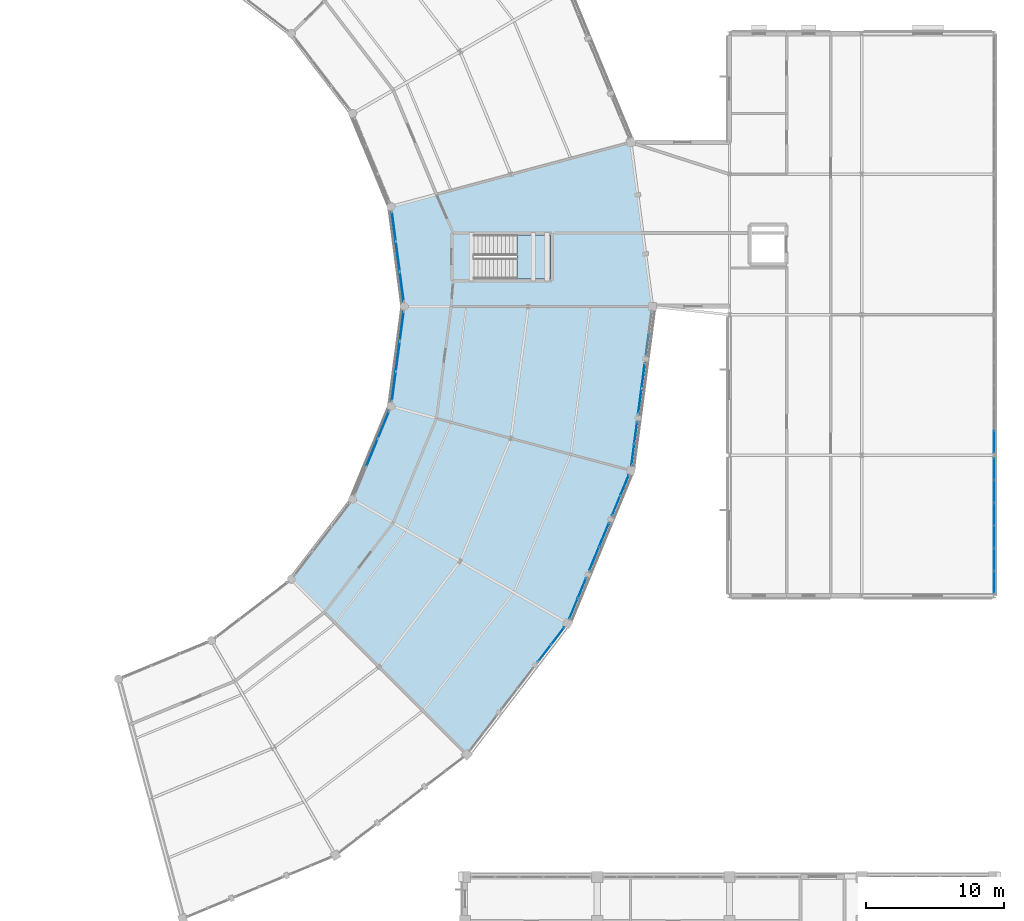
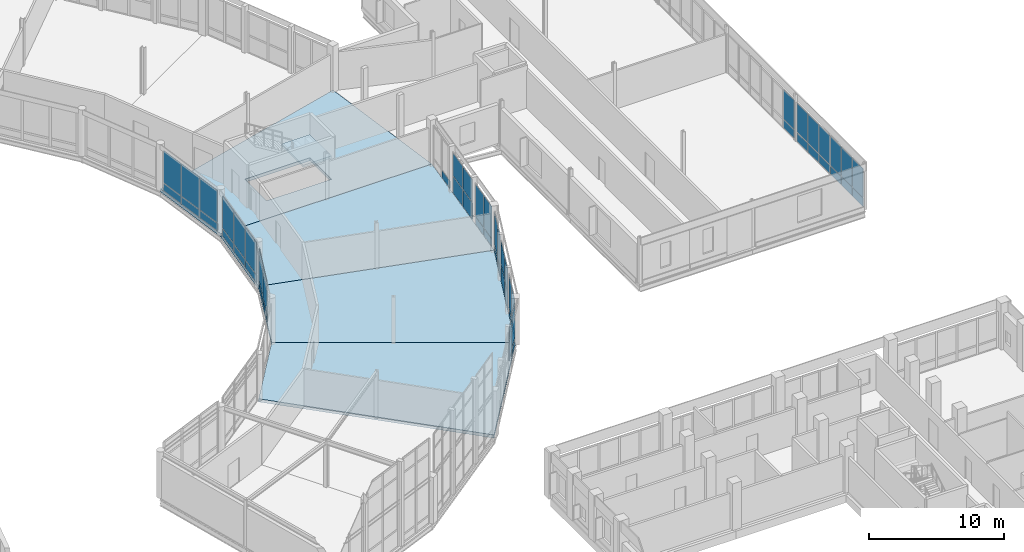
# One storey, part 133 of 170: 54 plates, 5 slabs, 13 elements without a shape of their own.
"""IFC4 building model written with IfcOpenShell, lengths in metres."""

from ifc_helpers import new_model, si_unit, direction, frame, origin, origin_2d, place, context, subcontext, project, spatial, polyline, rectangle, outline, extrude, material, layer, layer_set, type_object, element, aggregate, save


model = new_model("IFC4")

# Units and contexts
model_context = context("Model", 3, precision=1e-05, world=origin(), true_north=direction((0.0, 1.0)))
body_context = subcontext(model_context, "Body", "Model", "MODEL_VIEW")
ifc_project = project(units=[si_unit("LENGTHUNIT", "METRE"), si_unit("AREAUNIT", "SQUARE_METRE"), si_unit("VOLUMEUNIT", "CUBIC_METRE"), si_unit("PLANEANGLEUNIT", "RADIAN"), si_unit("MASSUNIT", "GRAM", prefix="KILO")], contexts=[model_context])

# Site, building, storey
site_placement = place(None, origin())
site = spatial("IfcSite", under=ifc_project, at=site_placement, CompositionType="ELEMENT")
building_placement = place(site_placement, origin())
building = spatial("IfcBuilding", under=site, at=building_placement, Name="Vondelvale Polytechnic", CompositionType="ELEMENT")
storey_placement = place(building_placement, frame((0.0, 0.0, 5.39990234375)))
storey = spatial("IfcBuildingStorey", under=building, at=storey_placement, Name="L01", CompositionType="ELEMENT", Elevation=5.39990234375)

# Curtain wall, plates
ifc_material_1 = material(Name="Anodised extruded aluminium 6063-T6", Category="aluminium")
curtain_wall_type_1 = type_object("IfcCurtainWallType", Name="CW-RING-CLOISTER", PredefinedType="NOTDEFINED", material=ifc_material_1)
curtain_wall_1_placement = place(storey_placement, origin())
curtain_wall_1 = element("IfcCurtainWall", 1, at=curtain_wall_1_placement, inside=storey, type_object=curtain_wall_type_1, Name="L01 architectural curtain wall CW-03-072", PredefinedType="NOTDEFINED")
ifc_material_2 = material(Name="Double-glazed low-E insulated architectural glass", Category="glass")
ifc_layer_1 = layer(ifc_material_2, 0.028076171875)
ifc_layer_set_1 = layer_set([ifc_layer_1], Name="CW-PANEL-GLAZED")
plate_type_1 = type_object("IfcPlateType", Name="CW-PANEL-GLAZED", PredefinedType="CURTAIN_PANEL", material=ifc_layer_set_1)
plate_1_placement = place(storey_placement, frame((129.81005859375, 73.4423828125, 0.78271484375), z_axis=(0.0, 0.0, 1.0), x_axis=(-0.130528007165, 0.99144462243, 0.0)))
plate_1 = element("IfcPlate", 2, at=plate_1_placement, type_object=plate_type_1, Name="CW-03-072 panel 1.2", PredefinedType="CURTAIN_PANEL", context=body_context, shape_type="SweptSolid", body=[
    extrude(rectangle(XDim=2.1123046875, YDim=0.028076171875, at=origin_2d()), origin(), (0.0, 0.0, 1.0), 2.902587890625),
])
plate_2_placement = place(storey_placement, frame((129.52294921875, 75.62353515625, 0.78271484375), z_axis=(0.0, 0.0, 1.0), x_axis=(-0.130528007165, 0.99144462243, 0.0)))
plate_2 = element("IfcPlate", 3, at=plate_2_placement, type_object=plate_type_1, Name="CW-03-072 panel 2.2", PredefinedType="CURTAIN_PANEL", context=body_context, shape_type="SweptSolid", body=[
    extrude(rectangle(XDim=2.1474609375, YDim=0.028076171875, at=origin_2d()), origin(), (0.0, 0.0, 1.0), 2.902587890625),
])
plate_3_placement = place(storey_placement, frame((129.23583984375, 77.804443359375, 0.78271484375), z_axis=(0.0, 0.0, 1.0), x_axis=(-0.130528007165, 0.99144462243, 0.0)))
plate_3 = element("IfcPlate", 4, at=plate_3_placement, type_object=plate_type_1, Name="CW-03-072 panel 3.2", PredefinedType="CURTAIN_PANEL", context=body_context, shape_type="SweptSolid", body=[
    extrude(rectangle(XDim=2.1123046875, YDim=0.028076171875, at=origin_2d()), origin(), (0.0, 0.0, 1.0), 2.902587890625),
])

ifc_material_3 = material(Name="Glulam GL18 structural Tasmanian oak (fb = 42 MPa)", Category="wood")
curtain_wall_type_2 = type_object("IfcCurtainWallType", Name="CW-RING-OUTER", PredefinedType="NOTDEFINED", material=ifc_material_3)
curtain_wall_2_placement = place(storey_placement, origin())
curtain_wall_2 = element("IfcCurtainWall", 5, at=curtain_wall_2_placement, inside=storey, type_object=curtain_wall_type_2, Name="L01 architectural curtain wall CW-04-354", PredefinedType="NOTDEFINED")
plate_4_placement = place(storey_placement, frame((140.158447265625, 46.812255859375, 0.7802734375), z_axis=(0.0, 0.0, 1.0), x_axis=(0.608786860133, 0.793333825656, 0.0)))
plate_4 = element("IfcPlate", 6, at=plate_4_placement, type_object=plate_type_1, Name="CW-04-354 panel 1.2", PredefinedType="CURTAIN_PANEL", context=body_context, shape_type="SweptSolid", body=[
    extrude(rectangle(XDim=1.530029296875, YDim=0.028076171875, at=origin_2d()), origin(), (0.0, 0.0, 1.0), 2.8798828125),
])
plate_5_placement = place(storey_placement, frame((141.12939453125, 48.07763671875, 0.7802734375), z_axis=(0.0, 0.0, 1.0), x_axis=(0.608786860133, 0.793333825656, 0.0)))
plate_5 = element("IfcPlate", 7, at=plate_5_placement, type_object=plate_type_1, Name="CW-04-354 panel 2.2", PredefinedType="CURTAIN_PANEL", context=body_context, shape_type="SweptSolid", body=[
    extrude(rectangle(XDim=1.530029296875, YDim=0.028076171875, at=origin_2d()), origin(), (0.0, 0.0, 1.0), 2.8798828125),
])

curtain_wall_3_placement = place(storey_placement, origin())
curtain_wall_3 = element("IfcCurtainWall", 8, at=curtain_wall_3_placement, inside=storey, type_object=curtain_wall_type_1, Name="L01 architectural curtain wall CW-03-362", PredefinedType="NOTDEFINED")
plate_6_placement = place(storey_placement, frame((127.647216796875, 61.37646484375, 0.78271484375), z_axis=(0.0, 0.0, 1.0), x_axis=(0.382678531697, 0.923881562419, 0.0)))
plate_6 = element("IfcPlate", 9, at=plate_6_placement, type_object=plate_type_1, Name="CW-03-362 panel 2.2", PredefinedType="CURTAIN_PANEL", context=body_context, shape_type="SweptSolid", body=[
    extrude(rectangle(XDim=2.146484375, YDim=0.028076171875, at=origin_2d()), origin(), (0.0, 0.0, 1.0), 2.902587890625),
])
plate_7_placement = place(storey_placement, frame((128.48876953125, 63.408203125, 0.78271484375), z_axis=(0.0, 0.0, 1.0), x_axis=(0.382678531697, 0.923881562419, 0.0)))
plate_7 = element("IfcPlate", 10, at=plate_7_placement, type_object=plate_type_1, Name="CW-03-362 panel 3.2", PredefinedType="CURTAIN_PANEL", context=body_context, shape_type="SweptSolid", body=[
    extrude(rectangle(XDim=2.111572265625, YDim=0.028076171875, at=origin_2d()), origin(), (0.0, 0.0, 1.0), 2.902587890625),
])

curtain_wall_4_placement = place(storey_placement, origin())
curtain_wall_4 = element("IfcCurtainWall", 11, at=curtain_wall_4_placement, inside=storey, type_object=curtain_wall_type_2, Name="L01 architectural curtain wall CW-04-363", PredefinedType="NOTDEFINED")
plate_8_placement = place(storey_placement, frame((142.2822265625, 50.07421875, 0.7802734375), z_axis=(0.0, 0.0, 1.0), x_axis=(0.382677394529, 0.923882033442, 0.0)))
plate_8 = element("IfcPlate", 12, at=plate_8_placement, type_object=plate_type_1, Name="CW-04-363 panel 1.2", PredefinedType="CURTAIN_PANEL", context=body_context, shape_type="SweptSolid", body=[
    extrude(rectangle(XDim=1.530029296875, YDim=0.028076171875, at=origin_2d()), origin(), (0.0, 0.0, 1.0), 2.8798828125),
])
plate_9_placement = place(storey_placement, frame((142.892578125, 51.5478515625, 0.7802734375), z_axis=(0.0, 0.0, 1.0), x_axis=(0.382677394529, 0.923882033442, 0.0)))
plate_9 = element("IfcPlate", 13, at=plate_9_placement, type_object=plate_type_1, Name="CW-04-363 panel 2.2", PredefinedType="CURTAIN_PANEL", context=body_context, shape_type="SweptSolid", body=[
    extrude(rectangle(XDim=1.530029296875, YDim=0.028076171875, at=origin_2d()), origin(), (0.0, 0.0, 1.0), 2.8798828125),
])

curtain_wall_5_placement = place(storey_placement, origin())
curtain_wall_5 = element("IfcCurtainWall", 14, at=curtain_wall_5_placement, inside=storey, type_object=curtain_wall_type_2, Name="L01 architectural curtain wall CW-04-365", PredefinedType="NOTDEFINED")
plate_10_placement = place(storey_placement, frame((145.377197265625, 57.546630859375, 0.7802734375), z_axis=(0.0, 0.0, 1.0), x_axis=(0.382677394529, 0.923882033442, 0.0)))
plate_10 = element("IfcPlate", 15, at=plate_10_placement, type_object=plate_type_1, Name="CW-04-365 panel 1.2", PredefinedType="CURTAIN_PANEL", context=body_context, shape_type="SweptSolid", body=[
    extrude(rectangle(XDim=1.530029296875, YDim=0.028076171875, at=origin_2d()), origin(), (0.0, 0.0, 1.0), 2.8798828125),
])
plate_11_placement = place(storey_placement, frame((145.98779296875, 59.02001953125, 0.7802734375), z_axis=(0.0, 0.0, 1.0), x_axis=(0.382677394529, 0.923882033442, 0.0)))
plate_11 = element("IfcPlate", 16, at=plate_11_placement, type_object=plate_type_1, Name="CW-04-365 panel 2.2", PredefinedType="CURTAIN_PANEL", context=body_context, shape_type="SweptSolid", body=[
    extrude(rectangle(XDim=1.530029296875, YDim=0.028076171875, at=origin_2d()), origin(), (0.0, 0.0, 1.0), 2.8798828125),
])

curtain_wall_6_placement = place(storey_placement, origin())
curtain_wall_6 = element("IfcCurtainWall", 17, at=curtain_wall_6_placement, inside=storey, type_object=curtain_wall_type_1, Name="L01 architectural curtain wall CW-03-374", PredefinedType="NOTDEFINED")
plate_12_placement = place(storey_placement, frame((129.23583984375, 66.195556640625, 0.78271484375), z_axis=(0.0, 0.0, 1.0), x_axis=(0.130528007165, 0.99144462243, 0.0)))
plate_12 = element("IfcPlate", 18, at=plate_12_placement, type_object=plate_type_1, Name="CW-03-374 panel 1.2", PredefinedType="CURTAIN_PANEL", context=body_context, shape_type="SweptSolid", body=[
    extrude(rectangle(XDim=2.1123046875, YDim=0.028076171875, at=origin_2d()), origin(), (0.0, 0.0, 1.0), 2.902587890625),
])
plate_13_placement = place(storey_placement, frame((129.52294921875, 68.37646484375, 0.78271484375), z_axis=(0.0, 0.0, 1.0), x_axis=(0.130528007165, 0.99144462243, 0.0)))
plate_13 = element("IfcPlate", 19, at=plate_13_placement, type_object=plate_type_1, Name="CW-03-374 panel 2.2", PredefinedType="CURTAIN_PANEL", context=body_context, shape_type="SweptSolid", body=[
    extrude(rectangle(XDim=2.1474609375, YDim=0.028076171875, at=origin_2d()), origin(), (0.0, 0.0, 1.0), 2.902587890625),
])
plate_14_placement = place(storey_placement, frame((129.81005859375, 70.5576171875, 0.78271484375), z_axis=(0.0, 0.0, 1.0), x_axis=(0.130528007165, 0.99144462243, 0.0)))
plate_14 = element("IfcPlate", 20, at=plate_14_placement, type_object=plate_type_1, Name="CW-03-374 panel 3.2", PredefinedType="CURTAIN_PANEL", context=body_context, shape_type="SweptSolid", body=[
    extrude(rectangle(XDim=2.1123046875, YDim=0.028076171875, at=origin_2d()), origin(), (0.0, 0.0, 1.0), 2.902587890625),
])

curtain_wall_7_placement = place(storey_placement, origin())
curtain_wall_7 = element("IfcCurtainWall", 21, at=curtain_wall_7_placement, inside=storey, type_object=curtain_wall_type_2, Name="L01 architectural curtain wall CW-04-375", PredefinedType="NOTDEFINED")
plate_15_placement = place(storey_placement, frame((146.584228515625, 61.2470703125, 0.7802734375), z_axis=(0.0, 0.0, 1.0), x_axis=(0.130539547729, 0.991443102996, 0.0)))
plate_15 = element("IfcPlate", 22, at=plate_15_placement, type_object=plate_type_1, Name="CW-04-375 panel 1.2", PredefinedType="CURTAIN_PANEL", context=body_context, shape_type="SweptSolid", body=[
    extrude(rectangle(XDim=1.530029296875, YDim=0.028076171875, at=origin_2d()), origin(), (0.0, 0.0, 1.0), 2.8798828125),
])
plate_16_placement = place(storey_placement, frame((146.79248046875, 62.828369140625, 0.7802734375), z_axis=(0.0, 0.0, 1.0), x_axis=(0.130539547729, 0.991443102996, 0.0)))
plate_16 = element("IfcPlate", 23, at=plate_16_placement, type_object=plate_type_1, Name="CW-04-375 panel 2.2", PredefinedType="CURTAIN_PANEL", context=body_context, shape_type="SweptSolid", body=[
    extrude(rectangle(XDim=1.530029296875, YDim=0.028076171875, at=origin_2d()), origin(), (0.0, 0.0, 1.0), 2.8798828125),
])

curtain_wall_8_placement = place(storey_placement, origin())
curtain_wall_8 = element("IfcCurtainWall", 24, at=curtain_wall_8_placement, inside=storey, type_object=curtain_wall_type_2, Name="L01 architectural curtain wall CW-04-376", PredefinedType="NOTDEFINED")
plate_17_placement = place(storey_placement, frame((147.093994140625, 65.1181640625, 1.6298828125), z_axis=(0.0, 0.0, 1.0), x_axis=(0.130497251349, 0.991448671082, 0.0)))
plate_17 = element("IfcPlate", 25, at=plate_17_placement, type_object=plate_type_1, Name="CW-04-376 panel 1.2", PredefinedType="CURTAIN_PANEL", context=body_context, shape_type="SweptSolid", body=[
    extrude(rectangle(XDim=1.80908203125, YDim=0.028076171875, at=origin_2d()), origin(), (0.0, 0.0, 1.0), 2.030029296875),
])
plate_18_placement = place(storey_placement, frame((147.338623046875, 66.97607421875, 1.6298828125), z_axis=(0.0, 0.0, 1.0), x_axis=(0.130497251349, 0.991448671082, 0.0)))
plate_18 = element("IfcPlate", 26, at=plate_18_placement, type_object=plate_type_1, Name="CW-04-376 panel 2.2", PredefinedType="CURTAIN_PANEL", context=body_context, shape_type="SweptSolid", body=[
    extrude(rectangle(XDim=1.80908203125, YDim=0.028076171875, at=origin_2d()), origin(), (0.0, 0.0, 1.0), 2.030029296875),
])

curtain_wall_type_3 = type_object("IfcCurtainWallType", Name="CW-REFECTORY", PredefinedType="NOTDEFINED", material=ifc_material_1)
curtain_wall_9_placement = place(storey_placement, origin())
curtain_wall_9 = element("IfcCurtainWall", 27, at=curtain_wall_9_placement, inside=storey, type_object=curtain_wall_type_3, Name="L01 architectural curtain wall CW-05-389", PredefinedType="NOTDEFINED")
plate_19_placement = place(storey_placement, frame((172.800048828125, 52.000732421875, 0.882568359375), z_axis=(0.0, 0.0, 1.0), x_axis=(0.0, 1.0, 0.0)))
plate_19 = element("IfcPlate", 28, at=plate_19_placement, type_object=plate_type_1, Name="CW-05-389 panel 1.2", PredefinedType="CURTAIN_PANEL", context=body_context, shape_type="SweptSolid", body=[
    extrude(rectangle(XDim=1.541748046875, YDim=0.028076171875, at=origin_2d()), origin(), (0.0, 0.0, 1.0), 2.6025390625),
])
plate_20_placement = place(storey_placement, frame((172.800048828125, 53.6298828125, 0.882568359375), z_axis=(0.0, 0.0, 1.0), x_axis=(0.0, 1.0, 0.0)))
plate_20 = element("IfcPlate", 29, at=plate_20_placement, type_object=plate_type_1, Name="CW-05-389 panel 2.2", PredefinedType="CURTAIN_PANEL", context=body_context, shape_type="SweptSolid", body=[
    extrude(rectangle(XDim=1.57666015625, YDim=0.028076171875, at=origin_2d()), origin(), (0.0, 0.0, 1.0), 2.6025390625),
])
plate_21_placement = place(storey_placement, frame((172.800048828125, 55.276611328125, 0.882568359375), z_axis=(0.0, 0.0, 1.0), x_axis=(0.0, 1.0, 0.0)))
plate_21 = element("IfcPlate", 30, at=plate_21_placement, type_object=plate_type_1, Name="CW-05-389 panel 3.2", PredefinedType="CURTAIN_PANEL", context=body_context, shape_type="SweptSolid", body=[
    extrude(rectangle(XDim=1.57666015625, YDim=0.028076171875, at=origin_2d()), origin(), (0.0, 0.0, 1.0), 2.6025390625),
])
plate_22_placement = place(storey_placement, frame((172.800048828125, 56.92333984375, 0.882568359375), z_axis=(0.0, 0.0, 1.0), x_axis=(0.0, 1.0, 0.0)))
plate_22 = element("IfcPlate", 31, at=plate_22_placement, type_object=plate_type_1, Name="CW-05-389 panel 4.2", PredefinedType="CURTAIN_PANEL", context=body_context, shape_type="SweptSolid", body=[
    extrude(rectangle(XDim=1.57666015625, YDim=0.028076171875, at=origin_2d()), origin(), (0.0, 0.0, 1.0), 2.6025390625),
])
plate_23_placement = place(storey_placement, frame((172.800048828125, 58.570068359375, 0.882568359375), z_axis=(0.0, 0.0, 1.0), x_axis=(0.0, 1.0, 0.0)))
plate_23 = element("IfcPlate", 32, at=plate_23_placement, type_object=plate_type_1, Name="CW-05-389 panel 5.2", PredefinedType="CURTAIN_PANEL", context=body_context, shape_type="SweptSolid", body=[
    extrude(rectangle(XDim=1.57666015625, YDim=0.028076171875, at=origin_2d()), origin(), (0.0, 0.0, 1.0), 2.6025390625),
])
plate_24_placement = place(storey_placement, frame((172.800048828125, 60.19921875, 0.882568359375), z_axis=(0.0, 0.0, 1.0), x_axis=(0.0, 1.0, 0.0)))
plate_24 = element("IfcPlate", 33, at=plate_24_placement, type_object=plate_type_1, Name="CW-05-389 panel 6.2", PredefinedType="CURTAIN_PANEL", context=body_context, shape_type="SweptSolid", body=[
    extrude(rectangle(XDim=1.541748046875, YDim=0.028076171875, at=origin_2d()), origin(), (0.0, 0.0, 1.0), 2.6025390625),
])

# Curtain wall, plate
curtain_wall_10_placement = place(storey_placement, origin())
curtain_wall_10 = element("IfcCurtainWall", 34, at=curtain_wall_10_placement, inside=storey, type_object=curtain_wall_type_3, Name="L01 architectural curtain wall CW-05-390", PredefinedType="NOTDEFINED")
plate_25_placement = place(storey_placement, frame((172.800048828125, 62.200927734375, 0.882568359375), z_axis=(0.0, 0.0, 1.0), x_axis=(0.0, 1.0, 0.0)))
plate_25 = element("IfcPlate", 35, at=plate_25_placement, type_object=plate_type_1, Name="CW-05-390 panel 1.2", PredefinedType="CURTAIN_PANEL", context=body_context, shape_type="SweptSolid", body=[
    extrude(rectangle(XDim=1.541748046875, YDim=0.028076171875, at=origin_2d()), origin(), (0.0, 0.0, 1.0), 2.6025390625),
])

# Plate
ifc_material_4 = material(Name="Engineered Tasmanian oak studio and bridge joinery")
ifc_layer_2 = layer(ifc_material_4, 0.0419921875)
ifc_layer_set_2 = layer_set([ifc_layer_2], Name="CW-PANEL-OAK")
plate_type_2 = type_object("IfcPlateType", Name="CW-PANEL-OAK", PredefinedType="CURTAIN_PANEL", material=ifc_layer_set_2)
plate_26_placement = place(storey_placement, frame((129.81005859375, 73.4423828125, 0.06494140625), z_axis=(0.0, 0.0, 1.0), x_axis=(-0.130528007165, 0.99144462243, 0.0)))
plate_26 = element("IfcPlate", 36, at=plate_26_placement, type_object=plate_type_2, Name="CW-03-072 panel 1.1", PredefinedType="CURTAIN_PANEL", context=body_context, shape_type="SweptSolid", body=[
    extrude(rectangle(XDim=2.1123046875, YDim=0.0419921875, at=origin_2d()), origin(), (0.0, 0.0, 1.0), 0.652587890625),
])

plate_27_placement = place(storey_placement, frame((129.52294921875, 75.62353515625, 0.06494140625), z_axis=(0.0, 0.0, 1.0), x_axis=(-0.130528007165, 0.99144462243, 0.0)))
plate_27 = element("IfcPlate", 37, at=plate_27_placement, type_object=plate_type_2, Name="CW-03-072 panel 2.1", PredefinedType="CURTAIN_PANEL", context=body_context, shape_type="SweptSolid", body=[
    extrude(rectangle(XDim=2.1474609375, YDim=0.0419921875, at=origin_2d()), origin(), (0.0, 0.0, 1.0), 0.652587890625),
])

plate_28_placement = place(storey_placement, frame((129.23583984375, 77.804443359375, 0.06494140625), z_axis=(0.0, 0.0, 1.0), x_axis=(-0.130528007165, 0.99144462243, 0.0)))
plate_28 = element("IfcPlate", 38, at=plate_28_placement, type_object=plate_type_2, Name="CW-03-072 panel 3.1", PredefinedType="CURTAIN_PANEL", context=body_context, shape_type="SweptSolid", body=[
    extrude(rectangle(XDim=2.1123046875, YDim=0.0419921875, at=origin_2d()), origin(), (0.0, 0.0, 1.0), 0.652587890625),
])

aggregate(curtain_wall_1, [plate_26, plate_1, plate_27, plate_2, plate_28, plate_3])

plate_29_placement = place(storey_placement, frame((127.647216796875, 61.37646484375, 0.06494140625), z_axis=(0.0, 0.0, 1.0), x_axis=(0.382678531697, 0.923881562419, 0.0)))
plate_29 = element("IfcPlate", 39, at=plate_29_placement, type_object=plate_type_2, Name="CW-03-362 panel 2.1", PredefinedType="CURTAIN_PANEL", context=body_context, shape_type="SweptSolid", body=[
    extrude(rectangle(XDim=2.146484375, YDim=0.0419921875, at=origin_2d()), origin(), (0.0, 0.0, 1.0), 0.652587890625),
])

plate_30_placement = place(storey_placement, frame((128.48876953125, 63.408203125, 0.06494140625), z_axis=(0.0, 0.0, 1.0), x_axis=(0.382678531697, 0.923881562419, 0.0)))
plate_30 = element("IfcPlate", 40, at=plate_30_placement, type_object=plate_type_2, Name="CW-03-362 panel 3.1", PredefinedType="CURTAIN_PANEL", context=body_context, shape_type="SweptSolid", body=[
    extrude(rectangle(XDim=2.111572265625, YDim=0.0419921875, at=origin_2d()), origin(), (0.0, 0.0, 1.0), 0.652587890625),
])

aggregate(curtain_wall_3, [plate_29, plate_6, plate_30, plate_7])

# Curtain wall, plates
curtain_wall_11_placement = place(storey_placement, origin())
curtain_wall_11 = element("IfcCurtainWall", 41, at=curtain_wall_11_placement, inside=storey, type_object=curtain_wall_type_2, Name="L01 architectural curtain wall CW-04-364", PredefinedType="NOTDEFINED")
plate_31_placement = place(storey_placement, frame((143.7763671875, 53.681396484375, 0.06005859375), z_axis=(0.0, 0.0, 1.0), x_axis=(0.382694599123, 0.92387490701, 0.0)))
plate_31 = element("IfcPlate", 42, at=plate_31_placement, type_object=plate_type_2, Name="CW-04-364 panel 1.1", PredefinedType="CURTAIN_PANEL", context=body_context, shape_type="SweptSolid", body=[
    extrude(rectangle(XDim=1.80908203125, YDim=0.0419921875, at=origin_2d()), origin(), (0.0, 0.0, 1.0), 1.510009765625),
])
plate_32_placement = place(storey_placement, frame((143.7763671875, 53.681396484375, 1.6298828125), z_axis=(0.0, 0.0, 1.0), x_axis=(0.382694599123, 0.92387490701, 0.0)))
plate_32 = element("IfcPlate", 43, at=plate_32_placement, type_object=plate_type_2, Name="CW-04-364 panel 1.2", PredefinedType="CURTAIN_PANEL", context=body_context, shape_type="SweptSolid", body=[
    extrude(rectangle(XDim=1.80908203125, YDim=0.0419921875, at=origin_2d()), origin(), (0.0, 0.0, 1.0), 2.030029296875),
])
plate_33_placement = place(storey_placement, frame((144.493408203125, 55.412841796875, 0.06005859375), z_axis=(0.0, 0.0, 1.0), x_axis=(0.382694599123, 0.92387490701, 0.0)))
plate_33 = element("IfcPlate", 44, at=plate_33_placement, type_object=plate_type_2, Name="CW-04-364 panel 2.1", PredefinedType="CURTAIN_PANEL", context=body_context, shape_type="SweptSolid", body=[
    extrude(rectangle(XDim=1.80908203125, YDim=0.0419921875, at=origin_2d()), origin(), (0.0, 0.0, 1.0), 1.510009765625),
])
plate_34_placement = place(storey_placement, frame((144.493408203125, 55.412841796875, 1.6298828125), z_axis=(0.0, 0.0, 1.0), x_axis=(0.382694599123, 0.92387490701, 0.0)))
plate_34 = element("IfcPlate", 45, at=plate_34_placement, type_object=plate_type_2, Name="CW-04-364 panel 2.2", PredefinedType="CURTAIN_PANEL", context=body_context, shape_type="SweptSolid", body=[
    extrude(rectangle(XDim=1.80908203125, YDim=0.0419921875, at=origin_2d()), origin(), (0.0, 0.0, 1.0), 2.030029296875),
])
aggregate(curtain_wall_11, [plate_31, plate_32, plate_33, plate_34])

# Plate
plate_35_placement = place(storey_placement, frame((129.23583984375, 66.195556640625, 0.06494140625), z_axis=(0.0, 0.0, 1.0), x_axis=(0.130528007165, 0.99144462243, 0.0)))
plate_35 = element("IfcPlate", 46, at=plate_35_placement, type_object=plate_type_2, Name="CW-03-374 panel 1.1", PredefinedType="CURTAIN_PANEL", context=body_context, shape_type="SweptSolid", body=[
    extrude(rectangle(XDim=2.1123046875, YDim=0.0419921875, at=origin_2d()), origin(), (0.0, 0.0, 1.0), 0.652587890625),
])

plate_36_placement = place(storey_placement, frame((129.52294921875, 68.37646484375, 0.06494140625), z_axis=(0.0, 0.0, 1.0), x_axis=(0.130528007165, 0.99144462243, 0.0)))
plate_36 = element("IfcPlate", 47, at=plate_36_placement, type_object=plate_type_2, Name="CW-03-374 panel 2.1", PredefinedType="CURTAIN_PANEL", context=body_context, shape_type="SweptSolid", body=[
    extrude(rectangle(XDim=2.1474609375, YDim=0.0419921875, at=origin_2d()), origin(), (0.0, 0.0, 1.0), 0.652587890625),
])

plate_37_placement = place(storey_placement, frame((129.81005859375, 70.5576171875, 0.06494140625), z_axis=(0.0, 0.0, 1.0), x_axis=(0.130528007165, 0.99144462243, 0.0)))
plate_37 = element("IfcPlate", 48, at=plate_37_placement, type_object=plate_type_2, Name="CW-03-374 panel 3.1", PredefinedType="CURTAIN_PANEL", context=body_context, shape_type="SweptSolid", body=[
    extrude(rectangle(XDim=2.1123046875, YDim=0.0419921875, at=origin_2d()), origin(), (0.0, 0.0, 1.0), 0.652587890625),
])

aggregate(curtain_wall_6, [plate_35, plate_12, plate_36, plate_13, plate_37, plate_14])

plate_38_placement = place(storey_placement, frame((147.093994140625, 65.1181640625, 0.06005859375), z_axis=(0.0, 0.0, 1.0), x_axis=(0.130497251349, 0.991448671082, 0.0)))
plate_38 = element("IfcPlate", 49, at=plate_38_placement, type_object=plate_type_2, Name="CW-04-376 panel 1.1", PredefinedType="CURTAIN_PANEL", context=body_context, shape_type="SweptSolid", body=[
    extrude(rectangle(XDim=1.80908203125, YDim=0.0419921875, at=origin_2d()), origin(), (0.0, 0.0, 1.0), 1.510009765625),
])

plate_39_placement = place(storey_placement, frame((147.338623046875, 66.97607421875, 0.06005859375), z_axis=(0.0, 0.0, 1.0), x_axis=(0.130497251349, 0.991448671082, 0.0)))
plate_39 = element("IfcPlate", 50, at=plate_39_placement, type_object=plate_type_2, Name="CW-04-376 panel 2.1", PredefinedType="CURTAIN_PANEL", context=body_context, shape_type="SweptSolid", body=[
    extrude(rectangle(XDim=1.80908203125, YDim=0.0419921875, at=origin_2d()), origin(), (0.0, 0.0, 1.0), 1.510009765625),
])

aggregate(curtain_wall_8, [plate_38, plate_17, plate_39, plate_18])

ifc_material_5 = material(Name="Kiln-fired architectural terracotta", Category="masonry")
ifc_layer_3 = layer(ifc_material_5, 0.035888671875)
ifc_layer_set_3 = layer_set([ifc_layer_3], Name="CW-PANEL-SPANDREL")
plate_type_3 = type_object("IfcPlateType", Name="CW-PANEL-SPANDREL", PredefinedType="CURTAIN_PANEL", material=ifc_layer_set_3)
plate_40_placement = place(storey_placement, frame((141.12939453125, 48.07763671875, 0.06005859375), z_axis=(0.0, 0.0, 1.0), x_axis=(0.608786860133, 0.793333825656, 0.0)))
plate_40 = element("IfcPlate", 51, at=plate_40_placement, type_object=plate_type_3, Name="CW-04-354 panel 2.1", PredefinedType="CURTAIN_PANEL", context=body_context, shape_type="SweptSolid", body=[
    extrude(rectangle(XDim=1.530029296875, YDim=0.035888671875, at=origin_2d()), origin(), (0.0, 0.0, 1.0), 0.659912109375),
])

aggregate(curtain_wall_2, [plate_4, plate_40, plate_5])

plate_41_placement = place(storey_placement, frame((142.2822265625, 50.07421875, 0.06005859375), z_axis=(0.0, 0.0, 1.0), x_axis=(0.382677394529, 0.923882033442, 0.0)))
plate_41 = element("IfcPlate", 52, at=plate_41_placement, type_object=plate_type_3, Name="CW-04-363 panel 1.1", PredefinedType="CURTAIN_PANEL", context=body_context, shape_type="SweptSolid", body=[
    extrude(rectangle(XDim=1.530029296875, YDim=0.035888671875, at=origin_2d()), origin(), (0.0, 0.0, 1.0), 0.659912109375),
])

plate_42_placement = place(storey_placement, frame((142.892578125, 51.5478515625, 0.06005859375), z_axis=(0.0, 0.0, 1.0), x_axis=(0.382677394529, 0.923882033442, 0.0)))
plate_42 = element("IfcPlate", 53, at=plate_42_placement, type_object=plate_type_3, Name="CW-04-363 panel 2.1", PredefinedType="CURTAIN_PANEL", context=body_context, shape_type="SweptSolid", body=[
    extrude(rectangle(XDim=1.530029296875, YDim=0.035888671875, at=origin_2d()), origin(), (0.0, 0.0, 1.0), 0.659912109375),
])

aggregate(curtain_wall_4, [plate_41, plate_8, plate_42, plate_9])

plate_43_placement = place(storey_placement, frame((145.377197265625, 57.546630859375, 0.06005859375), z_axis=(0.0, 0.0, 1.0), x_axis=(0.382677394529, 0.923882033442, 0.0)))
plate_43 = element("IfcPlate", 54, at=plate_43_placement, type_object=plate_type_3, Name="CW-04-365 panel 1.1", PredefinedType="CURTAIN_PANEL", context=body_context, shape_type="SweptSolid", body=[
    extrude(rectangle(XDim=1.530029296875, YDim=0.035888671875, at=origin_2d()), origin(), (0.0, 0.0, 1.0), 0.659912109375),
])

plate_44_placement = place(storey_placement, frame((145.98779296875, 59.02001953125, 0.06005859375), z_axis=(0.0, 0.0, 1.0), x_axis=(0.382677394529, 0.923882033442, 0.0)))
plate_44 = element("IfcPlate", 55, at=plate_44_placement, type_object=plate_type_3, Name="CW-04-365 panel 2.1", PredefinedType="CURTAIN_PANEL", context=body_context, shape_type="SweptSolid", body=[
    extrude(rectangle(XDim=1.530029296875, YDim=0.035888671875, at=origin_2d()), origin(), (0.0, 0.0, 1.0), 0.659912109375),
])

aggregate(curtain_wall_5, [plate_43, plate_10, plate_44, plate_11])

plate_45_placement = place(storey_placement, frame((146.584228515625, 61.2470703125, 0.06005859375), z_axis=(0.0, 0.0, 1.0), x_axis=(0.130539547729, 0.991443102996, 0.0)))
plate_45 = element("IfcPlate", 56, at=plate_45_placement, type_object=plate_type_3, Name="CW-04-375 panel 1.1", PredefinedType="CURTAIN_PANEL", context=body_context, shape_type="SweptSolid", body=[
    extrude(rectangle(XDim=1.530029296875, YDim=0.035888671875, at=origin_2d()), origin(), (0.0, 0.0, 1.0), 0.659912109375),
])

plate_46_placement = place(storey_placement, frame((146.79248046875, 62.828369140625, 0.06005859375), z_axis=(0.0, 0.0, 1.0), x_axis=(0.130539547729, 0.991443102996, 0.0)))
plate_46 = element("IfcPlate", 57, at=plate_46_placement, type_object=plate_type_3, Name="CW-04-375 panel 2.1", PredefinedType="CURTAIN_PANEL", context=body_context, shape_type="SweptSolid", body=[
    extrude(rectangle(XDim=1.530029296875, YDim=0.035888671875, at=origin_2d()), origin(), (0.0, 0.0, 1.0), 0.659912109375),
])

aggregate(curtain_wall_7, [plate_45, plate_15, plate_46, plate_16])

# Curtain wall, plate
curtain_wall_12_placement = place(storey_placement, origin())
curtain_wall_12 = element("IfcCurtainWall", 58, at=curtain_wall_12_placement, inside=storey, type_object=curtain_wall_type_2, Name="L01 architectural curtain wall CW-04-377", PredefinedType="NOTDEFINED")
plate_47_placement = place(storey_placement, frame((147.64013671875, 69.265869140625, 0.06005859375), z_axis=(0.0, 0.0, 1.0), x_axis=(0.130539547729, 0.991443102996, 0.0)))
plate_47 = element("IfcPlate", 59, at=plate_47_placement, type_object=plate_type_3, Name="CW-04-377 panel 1.1", PredefinedType="CURTAIN_PANEL", context=body_context, shape_type="SweptSolid", body=[
    extrude(rectangle(XDim=1.530029296875, YDim=0.035888671875, at=origin_2d()), origin(), (0.0, 0.0, 1.0), 0.659912109375),
])
aggregate(curtain_wall_12, [plate_47])

# Plate
plate_48_placement = place(storey_placement, frame((172.800048828125, 52.000732421875, 0.065185546875), z_axis=(0.0, 0.0, 1.0), x_axis=(0.0, 1.0, 0.0)))
plate_48 = element("IfcPlate", 60, at=plate_48_placement, type_object=plate_type_3, Name="CW-05-389 panel 1.1", PredefinedType="CURTAIN_PANEL", context=body_context, shape_type="SweptSolid", body=[
    extrude(rectangle(XDim=1.541748046875, YDim=0.035888671875, at=origin_2d()), origin(), (0.0, 0.0, 1.0), 0.75244140625),
])

plate_49_placement = place(storey_placement, frame((172.800048828125, 53.6298828125, 0.065185546875), z_axis=(0.0, 0.0, 1.0), x_axis=(0.0, 1.0, 0.0)))
plate_49 = element("IfcPlate", 61, at=plate_49_placement, type_object=plate_type_3, Name="CW-05-389 panel 2.1", PredefinedType="CURTAIN_PANEL", context=body_context, shape_type="SweptSolid", body=[
    extrude(rectangle(XDim=1.57666015625, YDim=0.035888671875, at=origin_2d()), origin(), (0.0, 0.0, 1.0), 0.75244140625),
])

plate_50_placement = place(storey_placement, frame((172.800048828125, 55.276611328125, 0.065185546875), z_axis=(0.0, 0.0, 1.0), x_axis=(0.0, 1.0, 0.0)))
plate_50 = element("IfcPlate", 62, at=plate_50_placement, type_object=plate_type_3, Name="CW-05-389 panel 3.1", PredefinedType="CURTAIN_PANEL", context=body_context, shape_type="SweptSolid", body=[
    extrude(rectangle(XDim=1.57666015625, YDim=0.035888671875, at=origin_2d()), origin(), (0.0, 0.0, 1.0), 0.75244140625),
])

plate_51_placement = place(storey_placement, frame((172.800048828125, 56.92333984375, 0.065185546875), z_axis=(0.0, 0.0, 1.0), x_axis=(0.0, 1.0, 0.0)))
plate_51 = element("IfcPlate", 63, at=plate_51_placement, type_object=plate_type_3, Name="CW-05-389 panel 4.1", PredefinedType="CURTAIN_PANEL", context=body_context, shape_type="SweptSolid", body=[
    extrude(rectangle(XDim=1.57666015625, YDim=0.035888671875, at=origin_2d()), origin(), (0.0, 0.0, 1.0), 0.75244140625),
])

plate_52_placement = place(storey_placement, frame((172.800048828125, 58.570068359375, 0.065185546875), z_axis=(0.0, 0.0, 1.0), x_axis=(0.0, 1.0, 0.0)))
plate_52 = element("IfcPlate", 64, at=plate_52_placement, type_object=plate_type_3, Name="CW-05-389 panel 5.1", PredefinedType="CURTAIN_PANEL", context=body_context, shape_type="SweptSolid", body=[
    extrude(rectangle(XDim=1.57666015625, YDim=0.035888671875, at=origin_2d()), origin(), (0.0, 0.0, 1.0), 0.75244140625),
])

plate_53_placement = place(storey_placement, frame((172.800048828125, 60.19921875, 0.065185546875), z_axis=(0.0, 0.0, 1.0), x_axis=(0.0, 1.0, 0.0)))
plate_53 = element("IfcPlate", 65, at=plate_53_placement, type_object=plate_type_3, Name="CW-05-389 panel 6.1", PredefinedType="CURTAIN_PANEL", context=body_context, shape_type="SweptSolid", body=[
    extrude(rectangle(XDim=1.541748046875, YDim=0.035888671875, at=origin_2d()), origin(), (0.0, 0.0, 1.0), 0.75244140625),
])

aggregate(curtain_wall_9, [plate_48, plate_19, plate_49, plate_20, plate_50, plate_21, plate_51, plate_22, plate_52, plate_23, plate_53, plate_24])

plate_54_placement = place(storey_placement, frame((172.800048828125, 62.200927734375, 0.065185546875), z_axis=(0.0, 0.0, 1.0), x_axis=(0.0, 1.0, 0.0)))
plate_54 = element("IfcPlate", 66, at=plate_54_placement, type_object=plate_type_3, Name="CW-05-390 panel 1.1", PredefinedType="CURTAIN_PANEL", context=body_context, shape_type="SweptSolid", body=[
    extrude(rectangle(XDim=1.541748046875, YDim=0.035888671875, at=origin_2d()), origin(), (0.0, 0.0, 1.0), 0.75244140625),
])

aggregate(curtain_wall_10, [plate_54, plate_25])

# Stair, slab
ifc_material_6 = material(Name="Concrete N40 (f'c = 40 MPa)", Category="concrete")
stair_type = type_object("IfcStairType", Name="STR-DOG-1500", PredefinedType="HALF_TURN_STAIR", material=ifc_material_6)
stair_placement = place(storey_placement, origin())
stair = element("IfcStair", 67, at=stair_placement, inside=storey, type_object=stair_type, Name="L01 ST-08", PredefinedType="HALF_TURN_STAIR")
ifc_layer_4 = layer(ifc_material_6, 0.199951171875)
ifc_layer_set_4 = layer_set([ifc_layer_4], Name="SLB-LANDING-200")
slab_type_1 = type_object("IfcSlabType", Name="SLB-LANDING-200", PredefinedType="LANDING", material=ifc_layer_set_4)
slab_1_placement = place(storey_placement, frame((0.0, 0.0, 1.900146484375)))
slab_1 = element("IfcSlab", 68, at=slab_1_placement, type_object=slab_type_1, Name="ST-08 landing 1", PredefinedType="LANDING", context=body_context, shape_type="SweptSolid", body=[
    extrude(outline(polyline([(138.18505859375, 74.0), (140.60009765625, 74.0), (140.60009765625, 77.199951171875), (138.18505859375, 77.199951171875), (138.18505859375, 74.0)])), origin(), (0.0, 0.0, 1.0), 0.199951171875),
])
aggregate(stair, [slab_1])

# Slabs
ifc_layer_5 = layer(ifc_material_6, 0.280029296875)
ifc_layer_set_5 = layer_set([ifc_layer_5], Name="SLB-LIBRARY-280")
slab_type_2 = type_object("IfcSlabType", Name="SLB-LIBRARY-280", PredefinedType="FLOOR", material=ifc_layer_set_5)
slab_2_placement = place(storey_placement, frame((0.0, 0.0, -0.27978515625)))
element("IfcSlab", 69, at=slab_2_placement, inside=storey, type_object=slab_type_2, Name="L01 circular ring sector 00 floor slab", PredefinedType="FLOOR", context=body_context, shape_type="SweptSolid", body=[
    extrude(outline(polyline([(130.0, 72.0), (148.0, 72.0), (146.4326171875, 83.90576171875), (129.0458984375, 79.246826171875), (130.0, 72.0)]), holes=[polyline([(135.050048828125, 74.0), (140.60009765625, 74.0), (140.60009765625, 77.199951171875), (135.050048828125, 77.199951171875), (135.050048828125, 74.0)])]), origin(), (0.0, 0.0, 1.0), 0.27978515625),
])
slab_3_placement = place(storey_placement, frame((0.0, 0.0, -0.27978515625)))
element("IfcSlab", 70, at=slab_3_placement, inside=storey, type_object=slab_type_2, Name="L01 circular ring sector 21 floor slab", PredefinedType="FLOOR", context=body_context, shape_type="SweptSolid", body=[
    extrude(outline(polyline([(121.799072265625, 52.200927734375), (134.52685546875, 39.47314453125), (141.837158203125, 49.0), (126.248779296875, 58.0), (121.799072265625, 52.200927734375)])), origin(), (0.0, 0.0, 1.0), 0.27978515625),
])
slab_4_placement = place(storey_placement, frame((0.0, 0.0, -0.27978515625)))
element("IfcSlab", 71, at=slab_4_placement, inside=storey, type_object=slab_type_2, Name="L01 circular ring sector 22 floor slab", PredefinedType="FLOOR", context=body_context, shape_type="SweptSolid", body=[
    extrude(outline(polyline([(126.248779296875, 58.0), (141.837158203125, 49.0), (146.4326171875, 60.09423828125), (129.0458984375, 64.753173828125), (126.248779296875, 58.0)])), origin(), (0.0, 0.0, 1.0), 0.27978515625),
])
slab_5_placement = place(storey_placement, frame((0.0, 0.0, -0.27978515625)))
element("IfcSlab", 72, at=slab_5_placement, inside=storey, type_object=slab_type_2, Name="L01 circular ring sector 23 floor slab", PredefinedType="FLOOR", context=body_context, shape_type="SweptSolid", body=[
    extrude(outline(polyline([(129.0458984375, 64.753173828125), (146.4326171875, 60.09423828125), (148.0, 72.0), (130.0, 72.0), (129.0458984375, 64.753173828125)])), origin(), (0.0, 0.0, 1.0), 0.27978515625),
])

save(model, "model.ifc")
